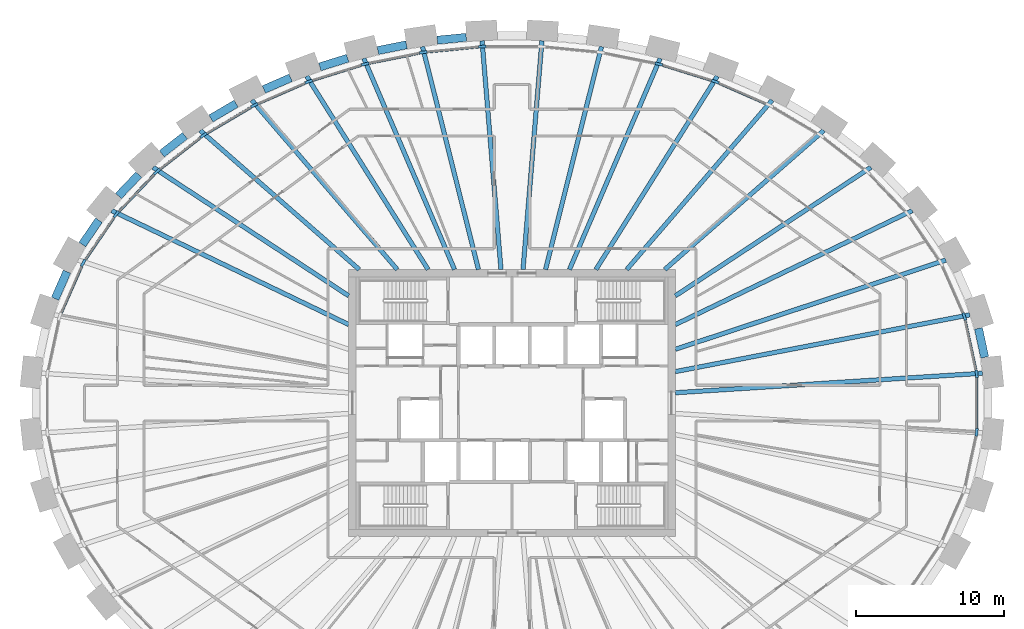
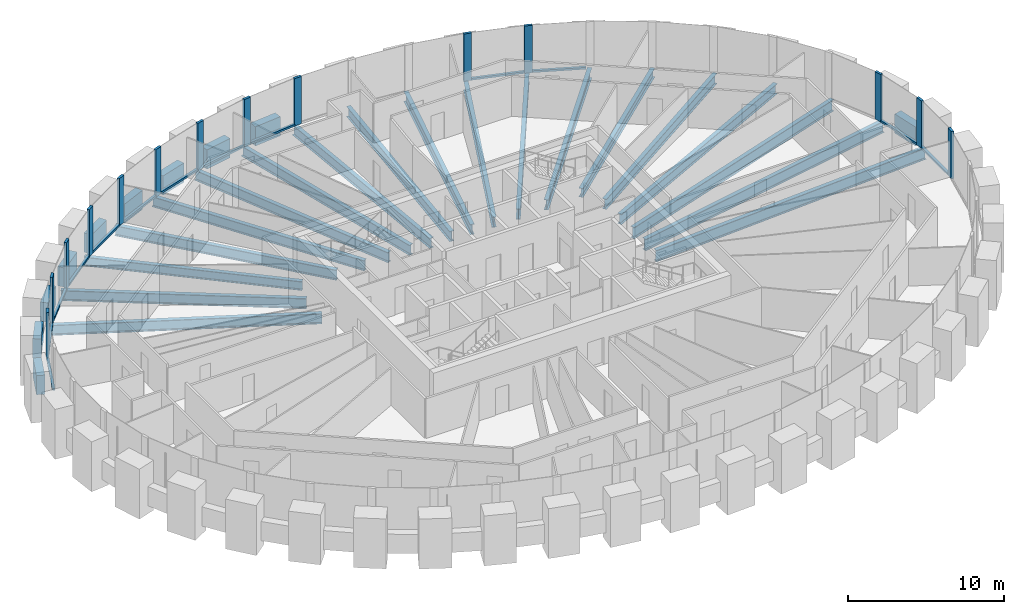
# One storey, part 3 of 12: 29 beams, 27 members, 1 element without a shape of its own.
"""IFC4 building model written with IfcOpenShell, lengths in metres."""

from ifc_helpers import new_model, si_unit, direction, frame, origin, origin_2d, place, context, subcontext, project, spatial, rectangle, i_section, extrude, source, transform, mapped, material, material_profile, profile_set, type_object, element, aggregate, save


model = new_model("IFC4")

# Units and contexts
model_context = context("Model", 3, precision=1e-05, world=origin(), true_north=direction((0.0, 1.0)))
body_context = subcontext(model_context, "Body", "Model", "MODEL_VIEW")
ifc_project = project(units=[si_unit("LENGTHUNIT", "METRE"), si_unit("AREAUNIT", "SQUARE_METRE"), si_unit("VOLUMEUNIT", "CUBIC_METRE"), si_unit("PLANEANGLEUNIT", "RADIAN"), si_unit("MASSUNIT", "GRAM", prefix="KILO")], contexts=[model_context])

# Site, building, storey
site_placement = place(None, origin())
site = spatial("IfcSite", under=ifc_project, at=site_placement, CompositionType="ELEMENT")
building_placement = place(site_placement, origin())
building = spatial("IfcBuilding", under=site, at=building_placement, Name="Embergate Tower", CompositionType="ELEMENT")
storey_placement = place(building_placement, frame((0.0, 0.0, 269.5)))
storey = spatial("IfcBuildingStorey", under=building, at=storey_placement, Name="L62", CompositionType="ELEMENT", Elevation=269.5)

# Beams
ifc_material_1 = material(Name="Concrete C60", Category="concrete")
ifc_material_profile_1 = material_profile(ifc_material_1, rectangle(XDim=0.550048828125, YDim=1.5, at=origin_2d()), Name="RC 550x1500")
ifc_profile_set_1 = profile_set([ifc_material_profile_1], Name="Concrete C60")
beam_type_1 = type_object("IfcBeamType", Name="Spandrel beam RC 550x1500 C60", PredefinedType="BEAM", material=ifc_profile_set_1)
shared_shape_1 = source(origin(), body_context, "Body", "SweptSolid", [
    extrude(rectangle(XDim=0.550048828125, YDim=1.5, at=origin_2d()), origin(), (0.0, 0.0, 1.0), 1.994384765625),
])
beam_1_placement = place(storey_placement, frame((31.842041015625, 3.0849609375, 0.0), z_axis=(-0.210055720301, 0.977689416108, 0.0), x_axis=(-0.977689416108, -0.210055720301, 0.0)))
element("IfcBeam", 1, at=beam_1_placement, inside=storey, type_object=beam_type_1, Name="SPN-L62-00", PredefinedType="BEAM", context=body_context, shape_type="MappedRepresentation", body=[
    mapped(shared_shape_1, transform((0.0, 0.0, 0.0))),
])
shared_shape_2 = source(origin(), body_context, "Body", "SweptSolid", [
    extrude(rectangle(XDim=0.550048828125, YDim=1.5, at=origin_2d()), origin(), (0.0, 0.0, 1.0), 1.989990234375),
])
beam_2_placement = place(storey_placement, frame((-29.97705078125, 8.85498046875, 0.0), z_axis=(-0.402047764255, -0.915618695341, 0.0), x_axis=(0.915618695341, -0.402047764255, 0.0)))
element("IfcBeam", 2, at=beam_2_placement, inside=storey, type_object=beam_type_1, Name="SPN-L62-19", PredefinedType="BEAM", context=body_context, shape_type="MappedRepresentation", body=[
    mapped(shared_shape_2, transform((0.0, 0.0, 0.0))),
])
shared_shape_3 = source(origin(), body_context, "Body", "SweptSolid", [
    extrude(rectangle(XDim=0.550048828125, YDim=1.5, at=origin_2d()), origin(), (0.0, 0.0, 1.0), 1.982421875),
])
beam_3_placement = place(storey_placement, frame((-27.827880859375, 12.322021484375, 0.0), z_axis=(-0.56257611142, -0.82674549824, 0.0), x_axis=(0.82674549824, -0.56257611142, 0.0)))
element("IfcBeam", 3, at=beam_3_placement, inside=storey, type_object=beam_type_1, Name="SPN-L62-18", PredefinedType="BEAM", context=body_context, shape_type="MappedRepresentation", body=[
    mapped(shared_shape_3, transform((0.0, 0.0, 0.0))),
])
shared_shape_4 = source(origin(), body_context, "Body", "SweptSolid", [
    extrude(rectangle(XDim=0.550048828125, YDim=1.5, at=origin_2d()), origin(), (0.0, 0.0, 1.0), 1.97900390625),
])
beam_4_placement = place(storey_placement, frame((-25.14306640625, 15.387939453125, 0.0), z_axis=(-0.690255649164, -0.723565573253, 0.0), x_axis=(0.723565573253, -0.690255649164, 0.0)))
element("IfcBeam", 4, at=beam_4_placement, inside=storey, type_object=beam_type_1, Name="SPN-L62-17", PredefinedType="BEAM", context=body_context, shape_type="MappedRepresentation", body=[
    mapped(shared_shape_4, transform((0.0, 0.0, 0.0))),
])
shared_shape_5 = source(origin(), body_context, "Body", "SweptSolid", [
    extrude(rectangle(XDim=0.550048828125, YDim=1.5, at=origin_2d()), origin(), (0.0, 0.0, 1.0), 1.974853515625),
])
beam_5_placement = place(storey_placement, frame((-22.030029296875, 18.011962890625, 0.0), z_axis=(-0.788385979859, -0.61518090572, 0.0), x_axis=(0.61518090572, -0.788385979859, 0.0)))
element("IfcBeam", 5, at=beam_5_placement, inside=storey, type_object=beam_type_1, Name="SPN-L62-16", PredefinedType="BEAM", context=body_context, shape_type="MappedRepresentation", body=[
    mapped(shared_shape_5, transform((0.0, 0.0, 0.0))),
])
shared_shape_6 = source(origin(), body_context, "Body", "SweptSolid", [
    extrude(rectangle(XDim=0.550048828125, YDim=1.5, at=origin_2d()), origin(), (0.0, 0.0, 1.0), 1.969482421875),
])
beam_6_placement = place(storey_placement, frame((-18.583984375, 20.174072265625, 0.0), z_axis=(-0.862106236571, -0.506727576578, 0.0), x_axis=(0.506727576578, -0.862106236571, 0.0)))
element("IfcBeam", 6, at=beam_6_placement, inside=storey, type_object=beam_type_1, Name="SPN-L62-15", PredefinedType="BEAM", context=body_context, shape_type="MappedRepresentation", body=[
    mapped(shared_shape_6, transform((0.0, 0.0, 0.0))),
])
shared_shape_7 = source(origin(), body_context, "Body", "SweptSolid", [
    extrude(rectangle(XDim=0.550048828125, YDim=1.5, at=origin_2d()), origin(), (0.0, 0.0, 1.0), 1.96630859375),
])
beam_7_placement = place(storey_placement, frame((-14.912109375, 21.916015625, 0.0), z_axis=(-0.916393681964, -0.400278177842, 0.0), x_axis=(0.400278177842, -0.916393681964, 0.0)))
element("IfcBeam", 7, at=beam_7_placement, inside=storey, type_object=beam_type_1, Name="SPN-L62-14", PredefinedType="BEAM", context=body_context, shape_type="MappedRepresentation", body=[
    mapped(shared_shape_7, transform((0.0, 0.0, 0.0))),
])
shared_shape_8 = source(origin(), body_context, "Body", "SweptSolid", [
    extrude(rectangle(XDim=0.550048828125, YDim=1.5, at=origin_2d()), origin(), (0.0, 0.0, 1.0), 1.96484375),
])
beam_8_placement = place(storey_placement, frame((-11.069091796875, 23.235107421875, 0.0), z_axis=(-0.954771364399, -0.297340951979, 0.0), x_axis=(0.297340951979, -0.954771364399, 0.0)))
element("IfcBeam", 8, at=beam_8_placement, inside=storey, type_object=beam_type_1, Name="SPN-L62-13", PredefinedType="BEAM", context=body_context, shape_type="MappedRepresentation", body=[
    mapped(shared_shape_8, transform((0.0, 0.0, 0.0))),
])
shared_shape_9 = source(origin(), body_context, "Body", "SweptSolid", [
    extrude(rectangle(XDim=0.550048828125, YDim=1.5, at=origin_2d()), origin(), (0.0, 0.0, 1.0), 1.963134765625),
])
beam_9_placement = place(storey_placement, frame((-7.10888671875, 24.139892578125, 0.0), z_axis=(-0.980580675691, -0.196116135138, 0.0), x_axis=(0.196116135138, -0.980580675691, 0.0)))
element("IfcBeam", 9, at=beam_9_placement, inside=storey, type_object=beam_type_1, Name="SPN-L62-12", PredefinedType="BEAM", context=body_context, shape_type="MappedRepresentation", body=[
    mapped(shared_shape_9, transform((0.0, 0.0, 0.0))),
])
shared_shape_10 = source(origin(), body_context, "Body", "SweptSolid", [
    extrude(rectangle(XDim=0.550048828125, YDim=1.5, at=origin_2d()), origin(), (0.0, 0.0, 1.0), 1.96240234375),
])
beam_10_placement = place(storey_placement, frame((-3.0791015625, 24.64208984375, 0.0), z_axis=(-0.99519482752, -0.097914530474, 0.0), x_axis=(0.097914530474, -0.99519482752, 0.0)))
element("IfcBeam", 10, at=beam_10_placement, inside=storey, type_object=beam_type_1, Name="SPN-L62-11", PredefinedType="BEAM", context=body_context, shape_type="MappedRepresentation", body=[
    mapped(shared_shape_10, transform((0.0, 0.0, 0.0))),
])
ifc_material_2 = material(Name="Steel Q355B", Category="steel")
ifc_material_profile_2 = material_profile(ifc_material_2, i_section(OverallWidth=0.300048828125, OverallDepth=0.89990234375, WebThickness=0.01611328125, FlangeThickness=0.028076171875, FilletRadius=0.028076171875, at=origin_2d()), Name="HN 900x300x16x28")
ifc_profile_set_2 = profile_set([ifc_material_profile_2], Name="Steel Q355 grade B")
beam_type_2 = type_object("IfcBeamType", Name="Radial girder HN 900x300x16x28", PredefinedType="BEAM", material=ifc_profile_set_2)
shared_shape_11 = source(origin(), body_context, "Body", "SweptSolid", [
    extrude(i_section(OverallWidth=0.300048828125, OverallDepth=0.89990234375, WebThickness=0.01611328125, FlangeThickness=0.028076171875, FilletRadius=0.028076171875, at=origin_2d()), origin(), (0.0, 0.0, 1.0), 20.730712890625),
])
beam_11_placement = place(storey_placement, frame((31.68896484375, 2.012939453125, -0.64990234375), z_axis=(-0.997989293992, -0.06338271908, 0.0), x_axis=(0.06338271908, -0.997989293992, 0.0)))
element("IfcBeam", 11, at=beam_11_placement, inside=storey, type_object=beam_type_2, Name="GIR-L62-00", PredefinedType="BEAM", context=body_context, shape_type="MappedRepresentation", body=[
    mapped(shared_shape_11, transform((0.0, 0.0, 0.0))),
])
shared_shape_12 = source(origin(), body_context, "Body", "SweptSolid", [
    extrude(i_section(OverallWidth=0.300048828125, OverallDepth=0.89990234375, WebThickness=0.01611328125, FlangeThickness=0.028076171875, FilletRadius=0.028076171875, at=origin_2d()), origin(), (0.0, 0.0, 1.0), 20.2080078125),
])
beam_12_placement = place(storey_placement, frame((30.842041015625, 5.949951171875, -0.64990234375), z_axis=(-0.981895200214, -0.189424960862, 0.0), x_axis=(0.189424960862, -0.981895200214, 0.0)))
element("IfcBeam", 12, at=beam_12_placement, inside=storey, type_object=beam_type_2, Name="GIR-L62-01", PredefinedType="BEAM", context=body_context, shape_type="MappedRepresentation", body=[
    mapped(shared_shape_12, transform((0.0, 0.0, 0.0))),
])
shared_shape_13 = source(origin(), body_context, "Body", "SweptSolid", [
    extrude(i_section(OverallWidth=0.300048828125, OverallDepth=0.89990234375, WebThickness=0.01611328125, FlangeThickness=0.028076171875, FilletRadius=0.028076171875, at=origin_2d()), origin(), (0.0, 0.0, 1.0), 19.189453125),
])
beam_13_placement = place(storey_placement, frame((29.22412109375, 9.636962890625, -0.64990234375), z_axis=(-0.949689890727, -0.313191812555, 0.0), x_axis=(0.313191812555, -0.949689890727, 0.0)))
element("IfcBeam", 13, at=beam_13_placement, inside=storey, type_object=beam_type_2, Name="GIR-L62-02", PredefinedType="BEAM", context=body_context, shape_type="MappedRepresentation", body=[
    mapped(shared_shape_13, transform((0.0, 0.0, 0.0))),
])
ifc_material_profile_3 = material_profile(ifc_material_2, i_section(OverallWidth=0.300048828125, OverallDepth=0.800048828125, WebThickness=0.013916015625, FlangeThickness=0.02587890625, FilletRadius=0.028076171875, at=origin_2d()), Name="HN 800x300x14x26")
ifc_profile_set_3 = profile_set([ifc_material_profile_3], Name="Steel Q355 grade B")
beam_type_3 = type_object("IfcBeamType", Name="Radial girder HN 800x300x14x26", PredefinedType="BEAM", material=ifc_profile_set_3)
shared_shape_14 = source(origin(), body_context, "Body", "SweptSolid", [
    extrude(i_section(OverallWidth=0.300048828125, OverallDepth=0.800048828125, WebThickness=0.013916015625, FlangeThickness=0.02587890625, FilletRadius=0.028076171875, at=origin_2d()), origin(), (0.0, 0.0, 1.0), 17.70947265625),
])
for number, where, z_axis, x_axis, name in (
    (14, (26.958984375, 12.968994140625, -0.60009765625), (-0.901155084862, -0.433496843157, 0.0), (0.433496843157, -0.901155084862, 0.0), "GIR-L62-03"),
    (15, (-26.958984375, 12.968994140625, -0.60009765625), (0.901155084862, -0.433496843157, 0.0), (0.433496843157, 0.901155084862, 0.0), "GIR-L62-18"),
):
    element("IfcBeam", number, at=place(storey_placement, frame(where, z_axis=z_axis, x_axis=x_axis)), inside=storey, type_object=beam_type_3, Name=name, PredefinedType="BEAM", context=body_context, shape_type="MappedRepresentation", body=[
        mapped(shared_shape_14, transform((0.0, 0.0, 0.0))),
    ])
shared_shape_15 = source(origin(), body_context, "Body", "SweptSolid", [
    extrude(i_section(OverallWidth=0.300048828125, OverallDepth=0.800048828125, WebThickness=0.013916015625, FlangeThickness=0.02587890625, FilletRadius=0.028076171875, at=origin_2d()), origin(), (0.0, 0.0, 1.0), 15.767578125),
])
for number, where, z_axis, x_axis, name in (
    (16, (24.177978515625, 15.885009765625, -0.60009765625), (-0.835759482959, -0.549095698986, 0.0), (0.549095698986, -0.835759482959, 0.0), "GIR-L62-04"),
    (17, (-24.177978515625, 15.885009765625, -0.60009765625), (0.835759482959, -0.549095698986, 0.0), (0.549095698986, 0.835759482959, 0.0), "GIR-L62-17"),
):
    element("IfcBeam", number, at=place(storey_placement, frame(where, z_axis=z_axis, x_axis=x_axis)), inside=storey, type_object=beam_type_3, Name=name, PredefinedType="BEAM", context=body_context, shape_type="MappedRepresentation", body=[
        mapped(shared_shape_15, transform((0.0, 0.0, 0.0))),
    ])
ifc_material_profile_4 = material_profile(ifc_material_2, i_section(OverallWidth=0.300048828125, OverallDepth=0.699951171875, WebThickness=0.012939453125, FlangeThickness=0.02392578125, FilletRadius=0.01806640625, at=origin_2d()), Name="HN 700x300x13x24")
ifc_profile_set_4 = profile_set([ifc_material_profile_4], Name="Steel Q355 grade B")
beam_type_4 = type_object("IfcBeamType", Name="Radial girder HN 700x300x13x24", PredefinedType="BEAM", material=ifc_profile_set_4)
shared_shape_16 = source(origin(), body_context, "Body", "SweptSolid", [
    extrude(i_section(OverallWidth=0.300048828125, OverallDepth=0.699951171875, WebThickness=0.012939453125, FlangeThickness=0.02392578125, FilletRadius=0.01806640625, at=origin_2d()), origin(), (0.0, 0.0, 1.0), 14.226318359375),
])
for number, where, z_axis, x_axis, name in (
    (18, (21.0009765625, 18.364990234375, -0.550048828125), (-0.752763768185, -0.658290748308, 0.0), (0.658290748308, -0.752763768185, 0.0), "GIR-L62-05"),
    (19, (-21.0009765625, 18.364990234375, -0.550048828125), (0.752763768185, -0.658290748308, 0.0), (0.658290748308, 0.752763768185, 0.0), "GIR-L62-16"),
):
    element("IfcBeam", number, at=place(storey_placement, frame(where, z_axis=z_axis, x_axis=x_axis)), inside=storey, type_object=beam_type_4, Name=name, PredefinedType="BEAM", context=body_context, shape_type="MappedRepresentation", body=[
        mapped(shared_shape_16, transform((0.0, 0.0, 0.0))),
    ])
shared_shape_17 = source(origin(), body_context, "Body", "SweptSolid", [
    extrude(i_section(OverallWidth=0.300048828125, OverallDepth=0.800048828125, WebThickness=0.013916015625, FlangeThickness=0.02587890625, FilletRadius=0.028076171875, at=origin_2d()), origin(), (0.0, 0.0, 1.0), 15.03662109375),
])
for number, where, z_axis, x_axis, name in (
    (20, (17.52490234375, 20.407958984375, -0.60009765625), (-0.651467693725, -0.758676376351, 0.0), (0.758676376351, -0.651467693725, 0.0), "GIR-L62-06"),
    (21, (-17.52490234375, 20.407958984375, -0.60009765625), (0.651467693725, -0.758676376351, 0.0), (0.758676376351, 0.651467693725, 0.0), "GIR-L62-15"),
):
    element("IfcBeam", number, at=place(storey_placement, frame(where, z_axis=z_axis, x_axis=x_axis)), inside=storey, type_object=beam_type_3, Name=name, PredefinedType="BEAM", context=body_context, shape_type="MappedRepresentation", body=[
        mapped(shared_shape_17, transform((0.0, 0.0, 0.0))),
    ])
shared_shape_18 = source(origin(), body_context, "Body", "SweptSolid", [
    extrude(i_section(OverallWidth=0.300048828125, OverallDepth=0.800048828125, WebThickness=0.013916015625, FlangeThickness=0.02587890625, FilletRadius=0.028076171875, at=origin_2d()), origin(), (0.0, 0.0, 1.0), 15.37841796875),
])
for number, where, z_axis, x_axis, name in (
    (22, (13.83203125, 22.02294921875, -0.60009765625), (-0.53184995305, -0.84683860767, 0.0), (0.84683860767, -0.53184995305, 0.0), "GIR-L62-07"),
    (23, (-13.83203125, 22.02294921875, -0.60009765625), (0.53184995305, -0.84683860767, 0.0), (0.84683860767, 0.53184995305, 0.0), "GIR-L62-14"),
):
    element("IfcBeam", number, at=place(storey_placement, frame(where, z_axis=z_axis, x_axis=x_axis)), inside=storey, type_object=beam_type_3, Name=name, PredefinedType="BEAM", context=body_context, shape_type="MappedRepresentation", body=[
        mapped(shared_shape_18, transform((0.0, 0.0, 0.0))),
    ])
shared_shape_19 = source(origin(), body_context, "Body", "SweptSolid", [
    extrude(i_section(OverallWidth=0.300048828125, OverallDepth=0.800048828125, WebThickness=0.013916015625, FlangeThickness=0.02587890625, FilletRadius=0.028076171875, at=origin_2d()), origin(), (0.0, 0.0, 1.0), 15.4814453125),
])
for number, where, z_axis, x_axis, name in (
    (24, (9.98291015625, 23.222900390625, -0.60009765625), (-0.394927796759, -0.918712161314, 0.0), (0.918712161314, -0.394927796759, 0.0), "GIR-L62-08"),
    (25, (-9.98291015625, 23.222900390625, -0.60009765625), (0.394927796759, -0.918712161314, 0.0), (0.918712161314, 0.394927796759, 0.0), "GIR-L62-13"),
):
    element("IfcBeam", number, at=place(storey_placement, frame(where, z_axis=z_axis, x_axis=x_axis)), inside=storey, type_object=beam_type_3, Name=name, PredefinedType="BEAM", context=body_context, shape_type="MappedRepresentation", body=[
        mapped(shared_shape_19, transform((0.0, 0.0, 0.0))),
    ])
shared_shape_20 = source(origin(), body_context, "Body", "SweptSolid", [
    extrude(i_section(OverallWidth=0.300048828125, OverallDepth=0.800048828125, WebThickness=0.013916015625, FlangeThickness=0.02587890625, FilletRadius=0.028076171875, at=origin_2d()), origin(), (0.0, 0.0, 1.0), 15.48095703125),
])
for number, where, z_axis, x_axis, name in (
    (26, (6.029052734375, 24.014892578125, -0.60009765625), (-0.243526249663, -0.969894306471, 0.0), (0.969894306471, -0.243526249663, 0.0), "GIR-L62-09"),
    (27, (-6.029052734375, 24.014892578125, -0.60009765625), (0.243526249663, -0.969894306471, 0.0), (0.969894306471, 0.243526249663, 0.0), "GIR-L62-12"),
):
    element("IfcBeam", number, at=place(storey_placement, frame(where, z_axis=z_axis, x_axis=x_axis)), inside=storey, type_object=beam_type_3, Name=name, PredefinedType="BEAM", context=body_context, shape_type="MappedRepresentation", body=[
        mapped(shared_shape_20, transform((0.0, 0.0, 0.0))),
    ])
shared_shape_21 = source(origin(), body_context, "Body", "SweptSolid", [
    extrude(i_section(OverallWidth=0.300048828125, OverallDepth=0.800048828125, WebThickness=0.013916015625, FlangeThickness=0.02587890625, FilletRadius=0.028076171875, at=origin_2d()), origin(), (0.0, 0.0, 1.0), 15.46240234375),
])
for number, where, z_axis, x_axis, name in (
    (28, (2.01611328125, 24.409912109375, -0.60009765625), (-0.082341147883, -0.99660420196, 0.0), (0.99660420196, -0.082341147883, 0.0), "GIR-L62-10"),
    (29, (-2.01611328125, 24.409912109375, -0.60009765625), (0.082341147883, -0.99660420196, 0.0), (0.99660420196, 0.082341147883, 0.0), "GIR-L62-11"),
):
    element("IfcBeam", number, at=place(storey_placement, frame(where, z_axis=z_axis, x_axis=x_axis)), inside=storey, type_object=beam_type_3, Name=name, PredefinedType="BEAM", context=body_context, shape_type="MappedRepresentation", body=[
        mapped(shared_shape_21, transform((0.0, 0.0, 0.0))),
    ])

# Curtain wall, members
ifc_material_3 = material(Name="Aluminium and glass", Category="aluminium")
curtain_wall_type = type_object("IfcCurtainWallType", Name="Recessed office glazing", PredefinedType="NOTDEFINED", material=ifc_material_3)
curtain_wall_placement = place(storey_placement, origin())
curtain_wall = element("IfcCurtainWall", 30, at=curtain_wall_placement, inside=storey, type_object=curtain_wall_type, Name="Recessed office glazing ring", ObjectType="RECESSED OFFICE GLAZING", PredefinedType="USERDEFINED")
ifc_material_4 = material(Name="Aluminium, thermally broken", Category="aluminium")
ifc_material_profile_5 = material_profile(ifc_material_4, rectangle(XDim=0.179931640625, YDim=0.52001953125, at=origin_2d()), Name="AL 520x180")
ifc_profile_set_5 = profile_set([ifc_material_profile_5], Name="Aluminium, thermally broken")
member_type_1 = type_object("IfcMemberType", Name="Office mullion", PredefinedType="MULLION", material=ifc_profile_set_5)
shared_shape_22 = source(origin(), body_context, "Body", "SweptSolid", [
    extrude(rectangle(XDim=0.179931640625, YDim=0.52001953125, at=origin_2d()), origin(), (0.0, 0.0, 1.0), 3.699951171875),
])
member_1_placement = place(storey_placement, frame((31.301513671875, 1.971435546875, 0.0), z_axis=(0.0, 0.0, 1.0), x_axis=(-0.994384215926, -0.105830199459, 0.0)))
member_1 = element("IfcMember", 31, at=member_1_placement, type_object=member_type_1, Name="CW mullion 1", PredefinedType="MULLION", context=body_context, shape_type="MappedRepresentation", body=[
    mapped(shared_shape_22, transform((0.0, 0.0, 0.0))),
])
member_2_placement = place(storey_placement, frame((30.47119140625, 5.82861328125, 0.0), z_axis=(0.0, 0.0, 1.0), x_axis=(-0.951492965233, -0.307670500881, 0.0)))
member_2 = element("IfcMember", 32, at=member_2_placement, type_object=member_type_1, Name="CW mullion 2", PredefinedType="MULLION", context=body_context, shape_type="MappedRepresentation", body=[
    mapped(shared_shape_22, transform((0.0, 0.0, 0.0))),
])
member_3_placement = place(storey_placement, frame((13.69580078125, 21.657958984375, 0.0), z_axis=(0.0, 0.0, 1.0), x_axis=(-0.349496141799, -0.936937803094, 0.0)))
member_3 = element("IfcMember", 33, at=member_3_placement, type_object=member_type_1, Name="CW mullion 8", PredefinedType="MULLION", context=body_context, shape_type="MappedRepresentation", body=[
    mapped(shared_shape_22, transform((0.0, 0.0, 0.0))),
])
member_4_placement = place(storey_placement, frame((9.885986328125, 22.844482421875, 0.0), z_axis=(0.0, 0.0, 1.0), x_axis=(-0.24730680803, -0.968937223303, 0.0)))
member_4 = element("IfcMember", 34, at=member_4_placement, type_object=member_type_1, Name="CW mullion 9", PredefinedType="MULLION", context=body_context, shape_type="MappedRepresentation", body=[
    mapped(shared_shape_22, transform((0.0, 0.0, 0.0))),
])
member_5_placement = place(storey_placement, frame((-1.9970703125, 24.020263671875, 0.0), z_axis=(0.0, 0.0, 1.0), x_axis=(0.048970053385, -0.998800247232, 0.0)))
member_5 = element("IfcMember", 35, at=member_5_placement, type_object=member_type_1, Name="CW mullion 12", PredefinedType="MULLION", context=body_context, shape_type="MappedRepresentation", body=[
    mapped(shared_shape_22, transform((0.0, 0.0, 0.0))),
])
member_6_placement = place(storey_placement, frame((-5.9716796875, 23.629638671875, 0.0), z_axis=(0.0, 0.0, 1.0), x_axis=(0.147408930294, -0.989075632735, 0.0)))
member_6 = element("IfcMember", 36, at=member_6_placement, type_object=member_type_1, Name="CW mullion 13", PredefinedType="MULLION", context=body_context, shape_type="MappedRepresentation", body=[
    mapped(shared_shape_22, transform((0.0, 0.0, 0.0))),
])
member_7_placement = place(storey_placement, frame((-9.885986328125, 22.844482421875, 0.0), z_axis=(0.0, 0.0, 1.0), x_axis=(0.24730680803, -0.968937223303, 0.0)))
member_7 = element("IfcMember", 37, at=member_7_placement, type_object=member_type_1, Name="CW mullion 14", PredefinedType="MULLION", context=body_context, shape_type="MappedRepresentation", body=[
    mapped(shared_shape_22, transform((0.0, 0.0, 0.0))),
])
member_8_placement = place(storey_placement, frame((-13.69580078125, 21.657958984375, 0.0), z_axis=(0.0, 0.0, 1.0), x_axis=(0.349496141799, -0.936937803094, 0.0)))
member_8 = element("IfcMember", 38, at=member_8_placement, type_object=member_type_1, Name="CW mullion 15", PredefinedType="MULLION", context=body_context, shape_type="MappedRepresentation", body=[
    mapped(shared_shape_22, transform((0.0, 0.0, 0.0))),
])
member_9_placement = place(storey_placement, frame((-17.34912109375, 20.060791015625, 0.0), z_axis=(0.0, 0.0, 1.0), x_axis=(0.454503607328, -0.89074489666, 0.0)))
member_9 = element("IfcMember", 39, at=member_9_placement, type_object=member_type_1, Name="CW mullion 16", PredefinedType="MULLION", context=body_context, shape_type="MappedRepresentation", body=[
    mapped(shared_shape_22, transform((0.0, 0.0, 0.0))),
])
member_10_placement = place(storey_placement, frame((-20.781982421875, 18.042236328125, 0.0), z_axis=(0.0, 0.0, 1.0), x_axis=(0.562207514921, -0.82699619719, 0.0)))
member_10 = element("IfcMember", 40, at=member_10_placement, type_object=member_type_1, Name="CW mullion 17", PredefinedType="MULLION", context=body_context, shape_type="MappedRepresentation", body=[
    mapped(shared_shape_22, transform((0.0, 0.0, 0.0))),
])
member_11_placement = place(storey_placement, frame((-23.9169921875, 15.595703125, 0.0), z_axis=(0.0, 0.0, 1.0), x_axis=(0.671216184057, -0.741261650337, 0.0)))
member_11 = element("IfcMember", 41, at=member_11_placement, type_object=member_type_1, Name="CW mullion 18", PredefinedType="MULLION", context=body_context, shape_type="MappedRepresentation", body=[
    mapped(shared_shape_22, transform((0.0, 0.0, 0.0))),
])
member_12_placement = place(storey_placement, frame((-26.656494140625, 12.72314453125, 0.0), z_axis=(0.0, 0.0, 1.0), x_axis=(0.777861596203, -0.628435626897, 0.0)))
member_12 = element("IfcMember", 42, at=member_12_placement, type_object=member_type_1, Name="CW mullion 19", PredefinedType="MULLION", context=body_context, shape_type="MappedRepresentation", body=[
    mapped(shared_shape_22, transform((0.0, 0.0, 0.0))),
])
member_13_placement = place(storey_placement, frame((-28.8837890625, 9.447998046875, 0.0), z_axis=(0.0, 0.0, 1.0), x_axis=(0.874992601244, -0.484136290489, 0.0)))
member_13 = element("IfcMember", 43, at=member_13_placement, type_object=member_type_1, Name="CW mullion 20", PredefinedType="MULLION", context=body_context, shape_type="MappedRepresentation", body=[
    mapped(shared_shape_22, transform((0.0, 0.0, 0.0))),
])
member_14_placement = place(storey_placement, frame((31.301513671875, -1.971435546875, 0.0), z_axis=(0.0, 0.0, 1.0), x_axis=(-0.994384215926, 0.105830199459, 0.0)))
member_14 = element("IfcMember", 44, at=member_14_placement, type_object=member_type_1, Name="CW mullion 44", PredefinedType="MULLION", context=body_context, shape_type="MappedRepresentation", body=[
    mapped(shared_shape_22, transform((0.0, 0.0, 0.0))),
])
ifc_material_profile_6 = material_profile(ifc_material_4, rectangle(XDim=0.179931640625, YDim=0.14990234375, at=origin_2d()), Name="AL 150x180")
ifc_profile_set_6 = profile_set([ifc_material_profile_6], Name="Aluminium, thermally broken")
member_type_2 = type_object("IfcMemberType", Name="Office sill transom", PredefinedType="USERDEFINED", material=ifc_profile_set_6)
shared_shape_23 = source(origin(), body_context, "Body", "SweptSolid", [
    extrude(rectangle(XDim=0.179931640625, YDim=0.14990234375, at=origin_2d()), origin(), (0.0, 0.0, 1.0), 3.42529296875),
])
member_15_placement = place(storey_placement, frame((31.24658203125, 2.2255859375, 0.074951171875), z_axis=(-0.210405171299, 0.977614271526, 0.0), x_axis=(-0.977614271526, -0.210405171299, 0.0)))
member_15 = element("IfcMember", 45, at=member_15_placement, type_object=member_type_2, Name="CW transom 1.1", ObjectType="TRANSOM", PredefinedType="USERDEFINED", context=body_context, shape_type="MappedRepresentation", body=[
    mapped(shared_shape_23, transform((0.0, 0.0, 0.0))),
])
shared_shape_24 = source(origin(), body_context, "Body", "SweptSolid", [
    extrude(rectangle(XDim=0.179931640625, YDim=0.14990234375, at=origin_2d()), origin(), (0.0, 0.0, 1.0), 3.43212890625),
])
member_16_placement = place(storey_placement, frame((-28.98828125, 9.209716796875, 0.074951171875), z_axis=(-0.401632188585, -0.915801061963, 0.0), x_axis=(0.915801061963, -0.401632188585, 0.0)))
member_16 = element("IfcMember", 46, at=member_16_placement, type_object=member_type_2, Name="CW transom 20.1", ObjectType="TRANSOM", PredefinedType="USERDEFINED", context=body_context, shape_type="MappedRepresentation", body=[
    mapped(shared_shape_24, transform((0.0, 0.0, 0.0))),
])
shared_shape_25 = source(origin(), body_context, "Body", "SweptSolid", [
    extrude(rectangle(XDim=0.179931640625, YDim=0.14990234375, at=origin_2d()), origin(), (0.0, 0.0, 1.0), 3.44091796875),
])
member_17_placement = place(storey_placement, frame((-26.802490234375, 12.508056640625, 0.074951171875), z_axis=(-0.562372122954, -0.826884269607, 0.0), x_axis=(0.826884269607, -0.562372122954, 0.0)))
member_17 = element("IfcMember", 47, at=member_17_placement, type_object=member_type_2, Name="CW transom 19.1", ObjectType="TRANSOM", PredefinedType="USERDEFINED", context=body_context, shape_type="MappedRepresentation", body=[
    mapped(shared_shape_25, transform((0.0, 0.0, 0.0))),
])
shared_shape_26 = source(origin(), body_context, "Body", "SweptSolid", [
    extrude(rectangle(XDim=0.179931640625, YDim=0.14990234375, at=origin_2d()), origin(), (0.0, 0.0, 1.0), 3.449462890625),
])
member_18_placement = place(storey_placement, frame((-24.096435546875, 15.407470703125, 0.074951171875), z_axis=(-0.690133956855, -0.723681643815, 0.0), x_axis=(0.723681643815, -0.690133956855, 0.0)))
member_18 = element("IfcMember", 48, at=member_18_placement, type_object=member_type_2, Name="CW transom 18.1", ObjectType="TRANSOM", PredefinedType="USERDEFINED", context=body_context, shape_type="MappedRepresentation", body=[
    mapped(shared_shape_26, transform((0.0, 0.0, 0.0))),
])
shared_shape_27 = source(origin(), body_context, "Body", "SweptSolid", [
    extrude(rectangle(XDim=0.179931640625, YDim=0.14990234375, at=origin_2d()), origin(), (0.0, 0.0, 1.0), 3.456787109375),
])
member_19_placement = place(storey_placement, frame((-20.987060546875, 17.88232421875, 0.074951171875), z_axis=(-0.788343354806, -0.615235528016, 0.0), x_axis=(0.615235528016, -0.788343354806, 0.0)))
member_19 = element("IfcMember", 49, at=member_19_placement, type_object=member_type_2, Name="CW transom 17.1", ObjectType="TRANSOM", PredefinedType="USERDEFINED", context=body_context, shape_type="MappedRepresentation", body=[
    mapped(shared_shape_27, transform((0.0, 0.0, 0.0))),
])
shared_shape_28 = source(origin(), body_context, "Body", "SweptSolid", [
    extrude(rectangle(XDim=0.179931640625, YDim=0.14990234375, at=origin_2d()), origin(), (0.0, 0.0, 1.0), 3.462646484375),
])
member_20_placement = place(storey_placement, frame((-17.572998046875, 19.928955078125, 0.074951171875), z_axis=(-0.862068308193, -0.506792099394, 0.0), x_axis=(0.506792099394, -0.862068308193, 0.0)))
member_20 = element("IfcMember", 50, at=member_20_placement, type_object=member_type_2, Name="CW transom 16.1", ObjectType="TRANSOM", PredefinedType="USERDEFINED", context=body_context, shape_type="MappedRepresentation", body=[
    mapped(shared_shape_28, transform((0.0, 0.0, 0.0))),
])
shared_shape_29 = source(origin(), body_context, "Body", "SweptSolid", [
    extrude(rectangle(XDim=0.179931640625, YDim=0.14990234375, at=origin_2d()), origin(), (0.0, 0.0, 1.0), 3.467041015625),
])
member_21_placement = place(storey_placement, frame((17.110595703125, 20.164794921875, 0.074951171875), z_axis=(-0.916217122843, 0.400682148104, 0.0), x_axis=(-0.400682148104, -0.916217122843, 0.0)))
member_21 = element("IfcMember", 51, at=member_21_placement, type_object=member_type_2, Name="CW transom 7.1", ObjectType="TRANSOM", PredefinedType="USERDEFINED", context=body_context, shape_type="MappedRepresentation", body=[
    mapped(shared_shape_29, transform((0.0, 0.0, 0.0))),
])
member_22_placement = place(storey_placement, frame((-13.93408203125, 21.553955078125, 0.074951171875), z_axis=(-0.916217122843, -0.400682148104, 0.0), x_axis=(0.400682148104, -0.916217122843, 0.0)))
member_22 = element("IfcMember", 52, at=member_22_placement, type_object=member_type_2, Name="CW transom 15.1", ObjectType="TRANSOM", PredefinedType="USERDEFINED", context=body_context, shape_type="MappedRepresentation", body=[
    mapped(shared_shape_29, transform((0.0, 0.0, 0.0))),
])
shared_shape_30 = source(origin(), body_context, "Body", "SweptSolid", [
    extrude(rectangle(XDim=0.179931640625, YDim=0.14990234375, at=origin_2d()), origin(), (0.0, 0.0, 1.0), 3.470458984375),
])
member_23_placement = place(storey_placement, frame((13.44775390625, 21.7353515625, 0.074951171875), z_axis=(-0.954784910088, 0.297297452846, 0.0), x_axis=(-0.297297452846, -0.954784910088, 0.0)))
member_23 = element("IfcMember", 53, at=member_23_placement, type_object=member_type_2, Name="CW transom 8.1", ObjectType="TRANSOM", PredefinedType="USERDEFINED", context=body_context, shape_type="MappedRepresentation", body=[
    mapped(shared_shape_30, transform((0.0, 0.0, 0.0))),
])
member_24_placement = place(storey_placement, frame((-10.13427734375, 22.76708984375, 0.074951171875), z_axis=(-0.954784910088, -0.297297452846, 0.0), x_axis=(0.297297452846, -0.954784910088, 0.0)))
member_24 = element("IfcMember", 54, at=member_24_placement, type_object=member_type_2, Name="CW transom 14.1", ObjectType="TRANSOM", PredefinedType="USERDEFINED", context=body_context, shape_type="MappedRepresentation", body=[
    mapped(shared_shape_30, transform((0.0, 0.0, 0.0))),
])
shared_shape_31 = source(origin(), body_context, "Body", "SweptSolid", [
    extrude(rectangle(XDim=0.179931640625, YDim=0.14990234375, at=origin_2d()), origin(), (0.0, 0.0, 1.0), 3.472412109375),
])
member_25_placement = place(storey_placement, frame((-6.2265625, 23.578369140625, 0.074951171875), z_axis=(-0.980472357372, -0.196656951134, 0.0), x_axis=(0.196656951134, -0.980472357372, 0.0)))
member_25 = element("IfcMember", 55, at=member_25_placement, type_object=member_type_2, Name="CW transom 13.1", ObjectType="TRANSOM", PredefinedType="USERDEFINED", context=body_context, shape_type="MappedRepresentation", body=[
    mapped(shared_shape_31, transform((0.0, 0.0, 0.0))),
])
shared_shape_32 = source(origin(), body_context, "Body", "SweptSolid", [
    extrude(rectangle(XDim=0.179931640625, YDim=0.14990234375, at=origin_2d()), origin(), (0.0, 0.0, 1.0), 3.4736328125),
])
member_26_placement = place(storey_placement, frame((-2.255859375, 23.994873046875, 0.074951171875), z_axis=(-0.99520279702, -0.0978334953, 0.0), x_axis=(0.0978334953, -0.99520279702, 0.0)))
member_26 = element("IfcMember", 56, at=member_26_placement, type_object=member_type_2, Name="CW transom 12.1", ObjectType="TRANSOM", PredefinedType="USERDEFINED", context=body_context, shape_type="MappedRepresentation", body=[
    mapped(shared_shape_32, transform((0.0, 0.0, 0.0))),
])
shared_shape_33 = source(origin(), body_context, "Body", "SweptSolid", [
    extrude(rectangle(XDim=0.179931640625, YDim=0.14990234375, at=origin_2d()), origin(), (0.0, 0.0, 1.0), 3.4228515625),
])
member_27_placement = place(storey_placement, frame((31.301513671875, -1.71142578125, 0.074951171875), z_axis=(0.0, 1.0, 0.0), x_axis=(-1.0, 0.0, 0.0)))
member_27 = element("IfcMember", 57, at=member_27_placement, type_object=member_type_2, Name="CW transom 44.1", ObjectType="TRANSOM", PredefinedType="USERDEFINED", context=body_context, shape_type="MappedRepresentation", body=[
    mapped(shared_shape_33, transform((0.0, 0.0, 0.0))),
])
aggregate(curtain_wall, [member_1, member_2, member_3, member_4, member_5, member_6, member_7, member_8, member_9, member_10, member_11, member_12, member_13, member_14, member_15, member_21, member_23, member_26, member_25, member_24, member_22, member_20, member_19, member_18, member_17, member_16, member_27])

save(model, "model.ifc")
